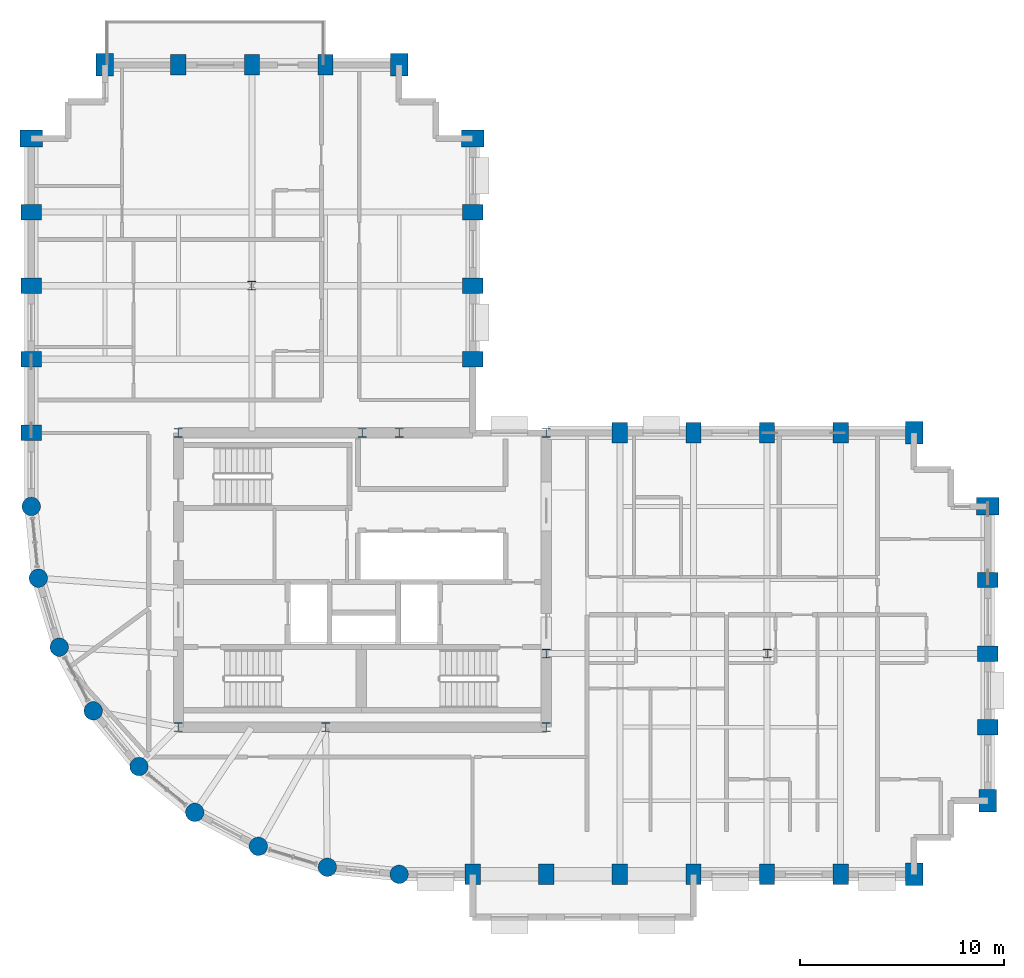
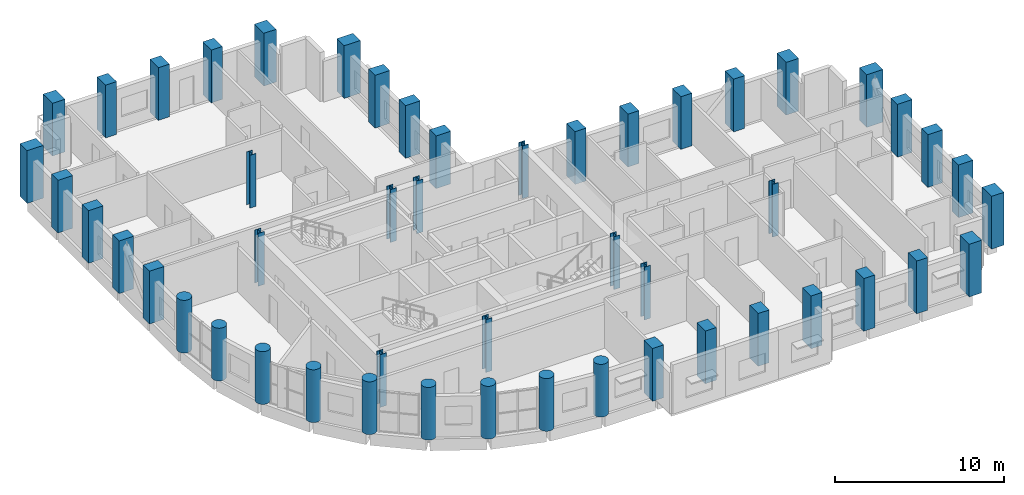
# One storey, part 1 of 14: 50 columns.
"""IFC4 building model written with IfcOpenShell, lengths in metres."""

from ifc_helpers import new_model, si_unit, direction, frame, origin, origin_2d, place, context, subcontext, project, spatial, rectangle, circle, i_section, extrude, material, material_profile, profile_set, type_object, element, save


model = new_model("IFC4")

# Units and contexts
model_context = context("Model", 3, precision=1e-05, world=origin(), true_north=direction((0.0, 1.0)))
body_context = subcontext(model_context, "Body", "Model", "MODEL_VIEW")
ifc_project = project(units=[si_unit("LENGTHUNIT", "METRE"), si_unit("AREAUNIT", "SQUARE_METRE"), si_unit("VOLUMEUNIT", "CUBIC_METRE"), si_unit("PLANEANGLEUNIT", "RADIAN"), si_unit("MASSUNIT", "GRAM", prefix="KILO")], contexts=[model_context])

# Site, building, storey
site_placement = place(None, origin())
site = spatial("IfcSite", under=ifc_project, at=site_placement, CompositionType="ELEMENT")
building_placement = place(site_placement, origin())
building = spatial("IfcBuilding", under=site, at=building_placement, Name="Solnavia Interchange Tower", CompositionType="ELEMENT")
storey_placement = place(building_placement, frame((0.0, 0.0, 135.199951171875)))
storey = spatial("IfcBuildingStorey", under=building, at=storey_placement, Name="L33", CompositionType="ELEMENT", Elevation=135.199951171875)

# Columns
ifc_material_1 = material(Name="Concrete C50/60", Category="concrete")
ifc_material_profile_1 = material_profile(ifc_material_1, rectangle(XDim=0.75, YDim=1.0, at=origin_2d()), Name="RC 1000x750")
ifc_profile_set_1 = profile_set([ifc_material_profile_1], Name="Concrete C50/60")
column_type_1 = type_object("IfcColumnType", Name="Col-RC-1000x750", PredefinedType="COLUMN", material=ifc_profile_set_1)
for number, where, z_axis, x_axis, name in (
    (1, (7.199951171875, 25.199951171875, 0.0), (0.0, 0.0, 1.0), (0.0, 1.0, 0.0), "COL-L33-02 Tower perim y column"),
    (2, (7.199951171875, 28.800048828125, 0.0), (0.0, 0.0, 1.0), (0.0, 1.0, 0.0), "COL-L33-03 Tower perim y column"),
    (3, (7.199951171875, 32.39990234375, 0.0), (0.0, 0.0, 1.0), (0.0, 1.0, 0.0), "COL-L33-04 Tower perim y column"),
    (4, (7.199951171875, 36.0, 0.0), (0.0, 0.0, 1.0), (0.0, 1.0, 0.0), "COL-L33-05 Tower perim y column"),
    (5, (14.39990234375, 43.199951171875, 0.0), (0.0, 0.0, 1.0), (1.0, 0.0, 0.0), "COL-L33-14 Tower perim x column"),
    (6, (18.0, 43.199951171875, 0.0), (0.0, 0.0, 1.0), (1.0, 0.0, 0.0), "COL-L33-17 Tower perim x column"),
    (7, (21.60009765625, 43.199951171875, 0.0), (0.0, 0.0, 1.0), (1.0, 0.0, 0.0), "COL-L33-20 Tower perim x column"),
    (8, (28.800048828125, 3.60009765625, 0.0), (0.0, 0.0, 1.0), (1.0, 0.0, 0.0), "COL-L33-26 Tower perim x column"),
    (9, (28.800048828125, 28.800048828125, 0.0), (0.0, 0.0, 1.0), (0.0, 1.0, 0.0), "COL-L33-27 Tower perim y column"),
    (10, (28.800048828125, 32.39990234375, 0.0), (0.0, 0.0, 1.0), (0.0, 1.0, 0.0), "COL-L33-28 Tower perim y column"),
    (11, (28.800048828125, 36.0, 0.0), (0.0, 0.0, 1.0), (0.0, 1.0, 0.0), "COL-L33-29 Tower perim y column"),
    (12, (32.39990234375, 3.60009765625, 0.0), (0.0, 0.0, 1.0), (1.0, 0.0, 0.0), "COL-L33-31 Tower perim x column"),
    (13, (36.0, 3.60009765625, 0.0), (0.0, 0.0, 1.0), (1.0, 0.0, 0.0), "COL-L33-35 Tower perim x column"),
    (14, (36.0, 25.199951171875, 0.0), (0.0, 0.0, 1.0), (1.0, 0.0, 0.0), "COL-L33-36 Tower perim x column"),
    (15, (39.60009765625, 3.60009765625, 0.0), (0.0, 0.0, 1.0), (1.0, 0.0, 0.0), "COL-L33-37 Tower perim x column"),
    (16, (39.60009765625, 25.199951171875, 0.0), (0.0, 0.0, 1.0), (1.0, 0.0, 0.0), "COL-L33-38 Tower perim x column"),
    (17, (43.199951171875, 3.60009765625, 0.0), (0.0, 0.0, 1.0), (1.0, 0.0, 0.0), "COL-L33-39 Tower perim x column"),
    (18, (43.199951171875, 25.199951171875, 0.0), (0.0, 0.0, 1.0), (1.0, 0.0, 0.0), "COL-L33-41 Tower perim x column"),
    (19, (46.800048828125, 3.60009765625, 0.0), (0.0, 0.0, 1.0), (1.0, 0.0, 0.0), "COL-L33-42 Tower perim x column"),
    (20, (46.800048828125, 25.199951171875, 0.0), (0.0, 0.0, 1.0), (1.0, 0.0, 0.0), "COL-L33-43 Tower perim x column"),
    (21, (54.0, 10.800048828125, 0.0), (0.0, 0.0, 1.0), (0.0, 1.0, 0.0), "COL-L33-47 Tower perim y column"),
    (22, (54.0, 14.39990234375, 0.0), (0.0, 0.0, 1.0), (0.0, 1.0, 0.0), "COL-L33-48 Tower perim y column"),
    (23, (54.0, 18.0, 0.0), (0.0, 0.0, 1.0), (0.0, 1.0, 0.0), "COL-L33-49 Tower perim y column"),
):
    element("IfcColumn", number, at=place(storey_placement, frame(where, z_axis=z_axis, x_axis=x_axis)), inside=storey, type_object=column_type_1, Name=name, PredefinedType="COLUMN", context=body_context, shape_type="SweptSolid", body=[
        extrude(rectangle(XDim=0.75, YDim=1.0, at=origin_2d()), origin(), (0.0, 0.0, 1.0), 3.800048828125),
    ])
ifc_material_profile_2 = material_profile(ifc_material_1, rectangle(XDim=0.85009765625, YDim=1.10009765625, at=origin_2d()), Name="RC 1100x850")
ifc_profile_set_2 = profile_set([ifc_material_profile_2], Name="Concrete C50/60")
column_type_2 = type_object("IfcColumnType", Name="Col-RC-1100x850", PredefinedType="COLUMN", material=ifc_profile_set_2)
for number, where, z_axis, x_axis, name in (
    (24, (7.199951171875, 39.60009765625, 0.0), (0.0, 0.0, 1.0), (0.0, 1.0, 0.0), "COL-L33-06 Tower corner column"),
    (25, (10.800048828125, 43.199951171875, 0.0), (0.0, 0.0, 1.0), (1.0, 0.0, 0.0), "COL-L33-10 Tower corner column"),
    (26, (25.199951171875, 43.199951171875, 0.0), (0.0, 0.0, 1.0), (1.0, 0.0, 0.0), "COL-L33-25 Tower corner column"),
    (27, (28.800048828125, 39.60009765625, 0.0), (0.0, 0.0, 1.0), (0.0, 1.0, 0.0), "COL-L33-30 Tower corner column"),
    (28, (50.39990234375, 3.60009765625, 0.0), (0.0, 0.0, 1.0), (1.0, 0.0, 0.0), "COL-L33-44 Tower corner column"),
    (29, (50.39990234375, 25.199951171875, 0.0), (0.0, 0.0, 1.0), (1.0, 0.0, 0.0), "COL-L33-45 Tower corner column"),
    (30, (54.0, 7.199951171875, 0.0), (0.0, 0.0, 1.0), (1.0, 0.0, 0.0), "COL-L33-46 Tower corner column"),
    (31, (54.0, 21.60009765625, 0.0), (0.0, 0.0, 1.0), (0.0, 1.0, 0.0), "COL-L33-50 Tower corner column"),
):
    element("IfcColumn", number, at=place(storey_placement, frame(where, z_axis=z_axis, x_axis=x_axis)), inside=storey, type_object=column_type_2, Name=name, PredefinedType="COLUMN", context=body_context, shape_type="SweptSolid", body=[
        extrude(rectangle(XDim=0.85009765625, YDim=1.10009765625, at=origin_2d()), origin(), (0.0, 0.0, 1.0), 3.800048828125),
    ])
ifc_material_profile_3 = material_profile(ifc_material_1, circle(Radius=0.449951171875, at=origin_2d()), Name="RC D900")
ifc_profile_set_3 = profile_set([ifc_material_profile_3], Name="Concrete C50/60")
column_type_3 = type_object("IfcColumnType", Name="Col-RC-D900", PredefinedType="COLUMN", material=ifc_profile_set_3)
for number, where, z_axis, x_axis, name in (
    (32, (7.199951171875, 21.60009765625, 0.0), (0.0, 0.0, 1.0), (1.0, 0.0, 0.0), "COL-L33-01 Tower drum column"),
    (33, (7.5458984375, 18.087890625, 0.0), (0.0, 0.0, 1.0), (1.0, 0.0, 0.0), "COL-L33-07 Tower drum column"),
    (34, (8.570068359375, 14.7119140625, 0.0), (0.0, 0.0, 1.0), (1.0, 0.0, 0.0), "COL-L33-08 Tower drum column"),
    (35, (10.23388671875, 11.60009765625, 0.0), (0.0, 0.0, 1.0), (1.0, 0.0, 0.0), "COL-L33-09 Tower drum column"),
    (36, (12.471923828125, 8.8720703125, 0.0), (0.0, 0.0, 1.0), (1.0, 0.0, 0.0), "COL-L33-11 Tower drum column"),
    (37, (15.199951171875, 6.634033203125, 0.0), (0.0, 0.0, 1.0), (1.0, 0.0, 0.0), "COL-L33-15 Tower drum column"),
    (38, (18.31201171875, 4.969970703125, 0.0), (0.0, 0.0, 1.0), (1.0, 0.0, 0.0), "COL-L33-18 Tower drum column"),
    (39, (21.68798828125, 3.946044921875, 0.0), (0.0, 0.0, 1.0), (1.0, 0.0, 0.0), "COL-L33-21 Tower drum column"),
    (40, (25.199951171875, 3.60009765625, 0.0), (0.0, 0.0, 1.0), (1.0, 0.0, 0.0), "COL-L33-23 Tower drum column"),
):
    element("IfcColumn", number, at=place(storey_placement, frame(where, z_axis=z_axis, x_axis=x_axis)), inside=storey, type_object=column_type_3, Name=name, PredefinedType="COLUMN", context=body_context, shape_type="SweptSolid", body=[
        extrude(circle(Radius=0.449951171875, at=origin_2d()), origin(), (0.0, 0.0, 1.0), 3.800048828125),
    ])
ifc_material_2 = material(Name="Steel S355", Category="steel")
ifc_material_profile_4 = material_profile(ifc_material_2, i_section(OverallWidth=0.416015625, OverallDepth=0.44189453125, WebThickness=0.02490234375, FlangeThickness=0.041015625, FilletRadius=0.014892578125, at=origin_2d()), Name="HD 400x382")
ifc_profile_set_4 = profile_set([ifc_material_profile_4], Name="Steel S355")
column_type_4 = type_object("IfcColumnType", Name="Col-Steel-HD400x382", PredefinedType="COLUMN", material=ifc_profile_set_4)
for number, where, z_axis, x_axis, name in (
    (41, (14.39990234375, 10.800048828125, 0.0), (0.0, 0.0, 1.0), (1.0, 0.0, 0.0), "COL-L33-12 Tower interior column"),
    (42, (14.39990234375, 25.199951171875, 0.0), (0.0, 0.0, 1.0), (1.0, 0.0, 0.0), "COL-L33-13 Tower interior column"),
    (43, (18.0, 32.39990234375, 0.0), (0.0, 0.0, 1.0), (1.0, 0.0, 0.0), "COL-L33-16 Tower interior column"),
    (44, (21.60009765625, 10.800048828125, 0.0), (0.0, 0.0, 1.0), (1.0, 0.0, 0.0), "COL-L33-19 Tower interior column"),
    (45, (23.39990234375, 25.199951171875, 0.0), (0.0, 0.0, 1.0), (1.0, 0.0, 0.0), "COL-L33-22 Tower interior column"),
    (46, (25.199951171875, 25.199951171875, 0.0), (0.0, 0.0, 1.0), (1.0, 0.0, 0.0), "COL-L33-24 Tower interior column"),
    (47, (32.39990234375, 10.800048828125, 0.0), (0.0, 0.0, 1.0), (1.0, 0.0, 0.0), "COL-L33-32 Tower interior column"),
    (48, (32.39990234375, 14.39990234375, 0.0), (0.0, 0.0, 1.0), (1.0, 0.0, 0.0), "COL-L33-33 Tower interior column"),
    (49, (32.39990234375, 25.199951171875, 0.0), (0.0, 0.0, 1.0), (1.0, 0.0, 0.0), "COL-L33-34 Tower interior column"),
    (50, (43.199951171875, 14.39990234375, 0.0), (0.0, 0.0, 1.0), (1.0, 0.0, 0.0), "COL-L33-40 Tower interior column"),
):
    element("IfcColumn", number, at=place(storey_placement, frame(where, z_axis=z_axis, x_axis=x_axis)), inside=storey, type_object=column_type_4, Name=name, PredefinedType="COLUMN", context=body_context, shape_type="SweptSolid", body=[
        extrude(i_section(OverallWidth=0.416015625, OverallDepth=0.44189453125, WebThickness=0.02490234375, FlangeThickness=0.041015625, FilletRadius=0.014892578125, at=origin_2d()), origin(), (0.0, 0.0, 1.0), 3.800048828125),
    ])

save(model, "model.ifc")
